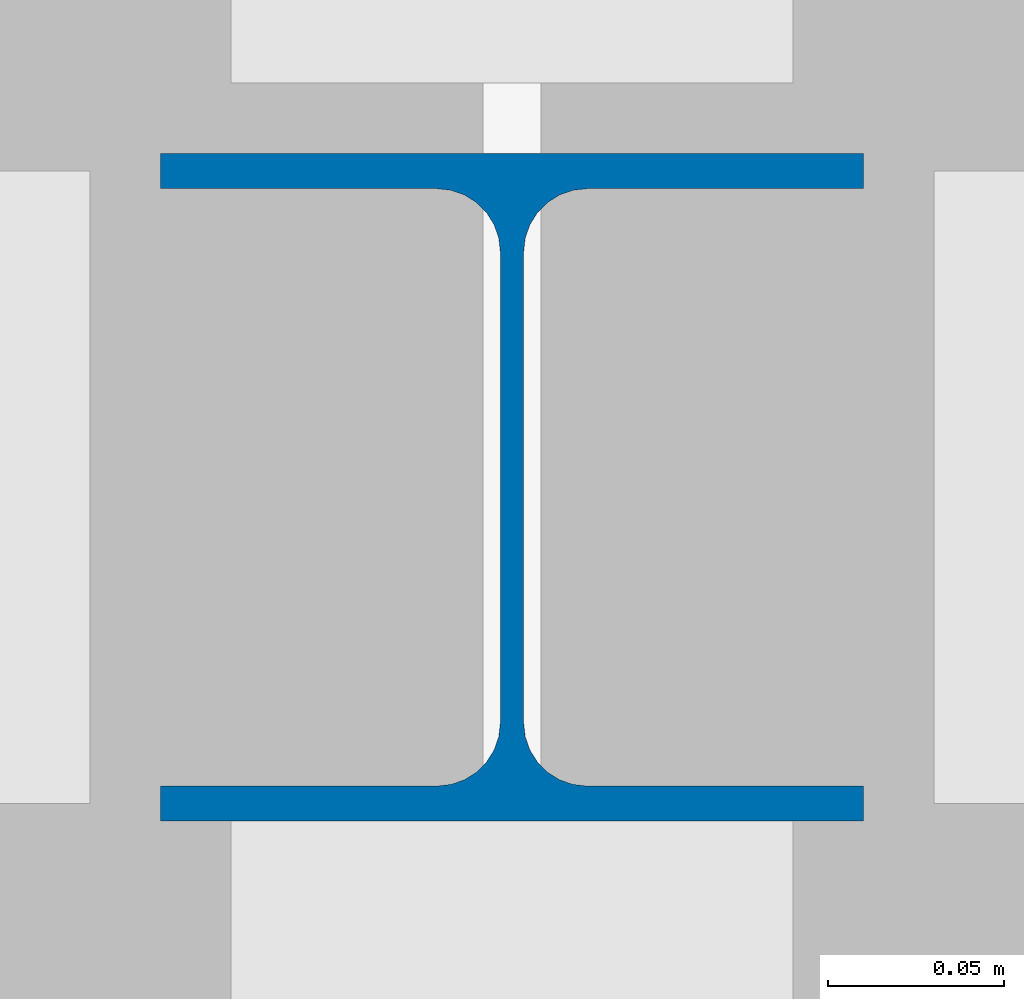
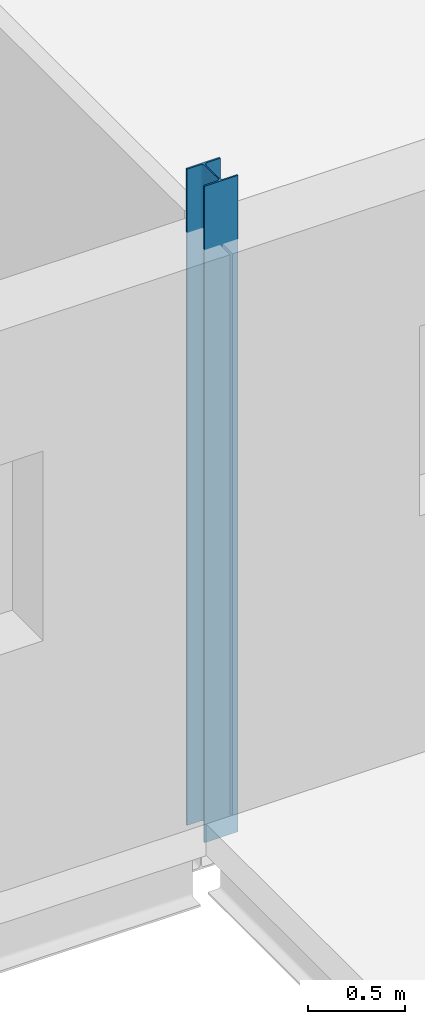
# One storey, part 6 of 121: 1 column.
"""IFC4 building model written with IfcOpenShell, lengths in metres."""

from ifc_helpers import new_model, si_unit, direction, frame, origin, origin_2d, place, context, subcontext, project, spatial, i_section, extrude, material, material_profile, profile_set, type_object, element, save


model = new_model("IFC4")

# Units and contexts
model_context = context("Model", 3, precision=1e-05, world=origin(), true_north=direction((0.0, 1.0)))
body_context = subcontext(model_context, "Body", "Model", "MODEL_VIEW")
ifc_project = project(units=[si_unit("LENGTHUNIT", "METRE"), si_unit("AREAUNIT", "SQUARE_METRE"), si_unit("VOLUMEUNIT", "CUBIC_METRE"), si_unit("PLANEANGLEUNIT", "RADIAN"), si_unit("MASSUNIT", "GRAM", prefix="KILO")], contexts=[model_context])

# Site, building, storey
site_placement = place(None, origin())
site = spatial("IfcSite", under=ifc_project, at=site_placement, CompositionType="ELEMENT")
building_placement = place(site_placement, origin())
building = spatial("IfcBuilding", under=site, at=building_placement, Name="Golden Quay Civic Hall", CompositionType="ELEMENT")
storey_placement = place(building_placement, frame((0.0, 0.0, 18.60009765625)))
storey = spatial("IfcBuildingStorey", under=building, at=storey_placement, Name="L04", CompositionType="ELEMENT", Elevation=18.60009765625)

# Column
ifc_material = material(Name="Steel S355", Category="steel")
ifc_material_profile = material_profile(ifc_material, i_section(OverallWidth=0.199951171875, OverallDepth=0.18994140625, WebThickness=0.006591796875, FlangeThickness=0.010009765625, FilletRadius=0.01806640625, at=origin_2d()), Name="HEA 200")
ifc_profile_set = profile_set([ifc_material_profile], Name="Steel S355")
column_type = type_object("IfcColumnType", Name="Steel column HEA 200", PredefinedType="COLUMN", material=ifc_profile_set)
column_placement = place(storey_placement, frame((27.0, 63.0, -0.2001953125), z_axis=(0.0, 0.0, 1.0), x_axis=(1.0, 0.0, 0.0)))
element("IfcColumn", 1, at=column_placement, inside=storey, type_object=column_type, Name="Column 27/63 L04", PredefinedType="COLUMN", context=body_context, shape_type="SweptSolid", body=[
    extrude(i_section(OverallWidth=0.199951171875, OverallDepth=0.18994140625, WebThickness=0.006591796875, FlangeThickness=0.010009765625, FilletRadius=0.01806640625, at=origin_2d()), origin(), (0.0, 0.0, 1.0), 4.150146484375),
])

save(model, "model.ifc")
